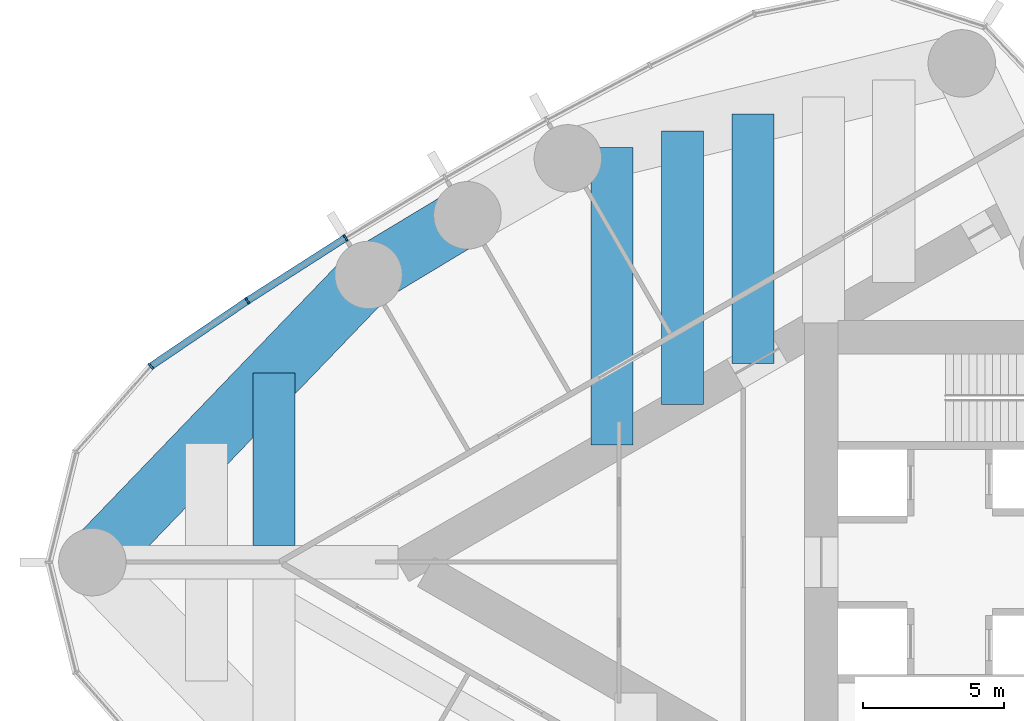
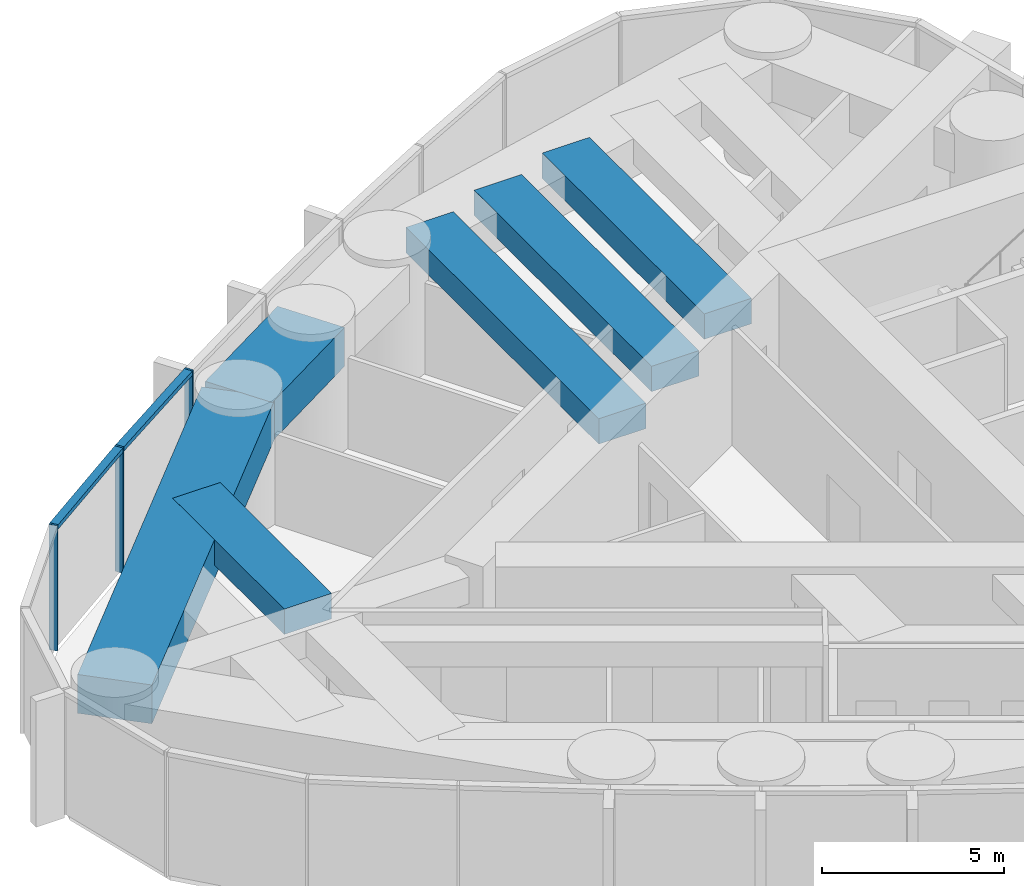
# One storey, part 4 of 23: 6 beams, 5 members, 1 element without a shape of its own.
"""IFC4 building model written with IfcOpenShell, lengths in metres."""

from ifc_helpers import new_model, si_unit, direction, frame, origin, origin_2d, place, context, subcontext, project, spatial, rectangle, extrude, material, material_profile, profile_set, type_object, element, aggregate, save


model = new_model("IFC4")

# Units and contexts
model_context = context("Model", 3, precision=1e-05, world=origin(), true_north=direction((0.0, 1.0)))
body_context = subcontext(model_context, "Body", "Model", "MODEL_VIEW")
ifc_project = project(units=[si_unit("LENGTHUNIT", "METRE"), si_unit("AREAUNIT", "SQUARE_METRE"), si_unit("VOLUMEUNIT", "CUBIC_METRE"), si_unit("PLANEANGLEUNIT", "RADIAN"), si_unit("MASSUNIT", "GRAM", prefix="KILO")], contexts=[model_context])

# Site, building, storey
site_placement = place(None, origin())
site = spatial("IfcSite", under=ifc_project, at=site_placement, CompositionType="ELEMENT")
building_placement = place(site_placement, origin())
building = spatial("IfcBuilding", under=site, at=building_placement, Name="Lancet Gate Hotel", CompositionType="ELEMENT")
storey_placement = place(building_placement, frame((0.0, 0.0, 247.699951171875)))
storey = spatial("IfcBuildingStorey", under=building, at=storey_placement, Name="L66", CompositionType="ELEMENT", Elevation=247.699951171875)

# Curtain wall, members
ifc_material_1 = material(Name="Aluminium curtain wall", Category="aluminium")
curtain_wall_type = type_object("IfcCurtainWallType", Name="Sky deck full-height glazing", PredefinedType="USERDEFINED", material=ifc_material_1)
curtain_wall_placement = place(storey_placement, origin())
curtain_wall = element("IfcCurtainWall", 1, at=curtain_wall_placement, inside=storey, type_object=curtain_wall_type, Name="T1 L66 curtain wall 1", ObjectType="UNITISED CURTAIN WALL", PredefinedType="USERDEFINED")
ifc_material_2 = material(Name="Aluminium mullion", Category="aluminium")
ifc_material_profile_1 = material_profile(ifc_material_2, rectangle(XDim=0.06494140625, YDim=0.25, at=origin_2d()), Name="MULLION 65x250")
ifc_profile_set_1 = profile_set([ifc_material_profile_1], Name="Aluminium mullion")
member_type_1 = type_object("IfcMemberType", Name="Aluminium mullion 65x250", PredefinedType="MULLION", material=ifc_profile_set_1)
member_1_placement = place(storey_placement, frame((-54.225830078125, 11.535400390625, 0.0), z_axis=(0.0, 0.0, 1.0), x_axis=(-0.849342388216, -0.527842313176, 0.0)))
member_1 = element("IfcMember", 2, at=member_1_placement, type_object=member_type_1, Name="T1 L66 curtain wall 1 mullion 9", PredefinedType="MULLION", context=body_context, shape_type="SweptSolid", body=[
    extrude(rectangle(XDim=0.06494140625, YDim=0.25, at=origin_2d()), origin(), (0.0, 0.0, 1.0), 4.199951171875),
])
member_2_placement = place(storey_placement, frame((-57.72021484375, 9.298095703125, 0.0), z_axis=(0.0, 0.0, 1.0), x_axis=(-0.834827178542, -0.550512108829, 0.0)))
member_2 = element("IfcMember", 3, at=member_2_placement, type_object=member_type_1, Name="T1 L66 curtain wall 1 mullion 10", PredefinedType="MULLION", context=body_context, shape_type="SweptSolid", body=[
    extrude(rectangle(XDim=0.06494140625, YDim=0.25, at=origin_2d()), origin(), (0.0, 0.0, 1.0), 4.199951171875),
])
member_3_placement = place(storey_placement, frame((-61.15283203125, 6.967529296875, 0.0), z_axis=(0.0, 0.0, 1.0), x_axis=(-0.750715604757, -0.660625522345, 0.0)))
member_3 = element("IfcMember", 4, at=member_3_placement, type_object=member_type_1, Name="T1 L66 curtain wall 1 mullion 11", PredefinedType="MULLION", context=body_context, shape_type="SweptSolid", body=[
    extrude(rectangle(XDim=0.06494140625, YDim=0.25, at=origin_2d()), origin(), (0.0, 0.0, 1.0), 4.199951171875),
])
ifc_material_3 = material(Name="Aluminium transom", Category="aluminium")
ifc_material_profile_2 = material_profile(ifc_material_3, rectangle(XDim=0.25, YDim=0.14990234375, at=origin_2d()), Name="TRANSOM 250x150")
ifc_profile_set_2 = profile_set([ifc_material_profile_2], Name="Aluminium transom")
member_type_2 = type_object("IfcMemberType", Name="Aluminium transom 250x150", PredefinedType="USERDEFINED", material=ifc_profile_set_2)
member_4_placement = place(storey_placement, frame((-54.253173828125, 11.51806640625, 4.125), z_axis=(-0.842144358733, -0.539252147937, 0.0), x_axis=(0.539252147937, -0.842144358733, 0.0)))
member_4 = element("IfcMember", 5, at=member_4_placement, type_object=member_type_2, Name="T1 L66 curtain wall 1 transom 9", ObjectType="TRANSOM", PredefinedType="USERDEFINED", context=body_context, shape_type="SweptSolid", body=[
    extrude(rectangle(XDim=0.25, YDim=0.14990234375, at=origin_2d()), origin(), (0.0, 0.0, 1.0), 4.084228515625),
])
member_5_placement = place(storey_placement, frame((-57.7470703125, 9.27978515625, 4.125), z_axis=(-0.827348780456, -0.561688521761, 0.0), x_axis=(0.561688521761, -0.827348780456, 0.0)))
member_5 = element("IfcMember", 6, at=member_5_placement, type_object=member_type_2, Name="T1 L66 curtain wall 1 transom 10", ObjectType="TRANSOM", PredefinedType="USERDEFINED", context=body_context, shape_type="SweptSolid", body=[
    extrude(rectangle(XDim=0.25, YDim=0.14990234375, at=origin_2d()), origin(), (0.0, 0.0, 1.0), 4.083984375),
])
aggregate(curtain_wall, [member_1, member_2, member_3, member_4, member_5])

# Beams
ifc_material_4 = material(Name="Concrete C50/60", Category="concrete")
ifc_material_profile_3 = material_profile(ifc_material_4, rectangle(XDim=2.10009765625, YDim=1.300048828125, at=origin_2d()), Name="RC 2100x1300")
ifc_profile_set_3 = profile_set([ifc_material_profile_3], Name="Concrete C50/60")
beam_type_1 = type_object("IfcBeamType", Name="Edge beam RC 2100x1300", PredefinedType="SPANDREL", material=ifc_profile_set_3)
beam_1_placement = place(storey_placement, frame((-49.89013671875, 12.340087890625, 3.300048828125), z_axis=(-0.856358061538, -0.516382484636, 0.0), x_axis=(0.516382484636, -0.856358061538, 0.0)))
element("IfcBeam", 7, at=beam_1_placement, inside=storey, type_object=beam_type_1, Name="T1 edge beam EB1 L66", PredefinedType="SPANDREL", context=body_context, shape_type="SweptSolid", body=[
    extrude(rectangle(XDim=2.10009765625, YDim=1.300048828125, at=origin_2d()), origin(), (0.0, 0.0, 1.0), 4.107666015625),
])
beam_2_placement = place(storey_placement, frame((-53.40771484375, 10.218994140625, 3.300048828125), z_axis=(-0.693134527053, -0.720808245934, 0.0), x_axis=(0.720808245934, -0.693134527053, 0.0)))
element("IfcBeam", 8, at=beam_2_placement, inside=storey, type_object=beam_type_1, Name="T1 edge beam EB1 L66", PredefinedType="SPANDREL", context=body_context, shape_type="SweptSolid", body=[
    extrude(rectangle(XDim=2.10009765625, YDim=1.300048828125, at=origin_2d()), origin(), (0.0, 0.0, 1.0), 14.17724609375),
])
ifc_material_5 = material(Name="Concrete C50/60", Category="concrete")
ifc_material_profile_4 = material_profile(ifc_material_5, rectangle(XDim=1.5, YDim=0.85009765625, at=origin_2d()), Name="RC 1500x850")
ifc_profile_set_4 = profile_set([ifc_material_profile_4], Name="Concrete C50/60")
beam_type_2 = type_object("IfcBeamType", Name="Floor beam RC 1500x850", PredefinedType="BEAM", material=ifc_profile_set_4)
beam_3_placement = place(storey_placement, frame((-39.734130859375, 15.952880859375, 3.525146484375), z_axis=(0.0, -1.0, 0.0), x_axis=(1.0, 0.0, 0.0)))
element("IfcBeam", 9, at=beam_3_placement, inside=storey, type_object=beam_type_2, Name="T1 floor beam F05S L66", PredefinedType="BEAM", context=body_context, shape_type="SweptSolid", body=[
    extrude(rectangle(XDim=1.5, YDim=0.85009765625, at=origin_2d()), origin(), (0.0, 0.0, 1.0), 8.889404296875),
])
beam_4_placement = place(storey_placement, frame((-42.240966796875, 15.348388671875, 3.525146484375), z_axis=(0.0, -1.0, 0.0), x_axis=(1.0, 0.0, 0.0)))
element("IfcBeam", 10, at=beam_4_placement, inside=storey, type_object=beam_type_2, Name="T1 floor beam F06S L66", PredefinedType="BEAM", context=body_context, shape_type="SweptSolid", body=[
    extrude(rectangle(XDim=1.5, YDim=0.85009765625, at=origin_2d()), origin(), (0.0, 0.0, 1.0), 9.732421875),
])
beam_5_placement = place(storey_placement, frame((-44.747802734375, 14.743896484375, 3.525146484375), z_axis=(0.0, -1.0, 0.0), x_axis=(1.0, 0.0, 0.0)))
element("IfcBeam", 11, at=beam_5_placement, inside=storey, type_object=beam_type_2, Name="T1 floor beam F08S L66", PredefinedType="BEAM", context=body_context, shape_type="SweptSolid", body=[
    extrude(rectangle(XDim=1.5, YDim=0.85009765625, at=origin_2d()), origin(), (0.0, 0.0, 1.0), 10.5751953125),
])
beam_6_placement = place(storey_placement, frame((-56.768310546875, 6.72412109375, 3.525146484375), z_axis=(0.0, -1.0, 0.0), x_axis=(1.0, 0.0, 0.0)))
element("IfcBeam", 12, at=beam_6_placement, inside=storey, type_object=beam_type_2, Name="T1 floor beam F09S L66", PredefinedType="BEAM", context=body_context, shape_type="SweptSolid", body=[
    extrude(rectangle(XDim=1.5, YDim=0.85009765625, at=origin_2d()), origin(), (0.0, 0.0, 1.0), 6.1240234375),
])

save(model, "model.ifc")
